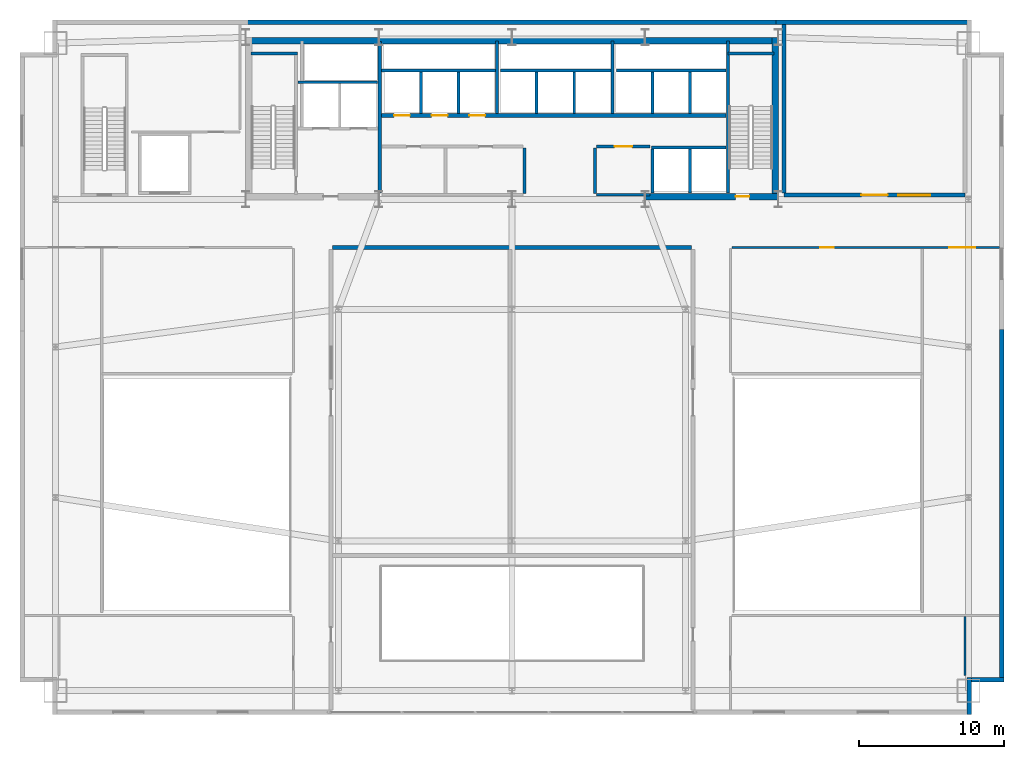
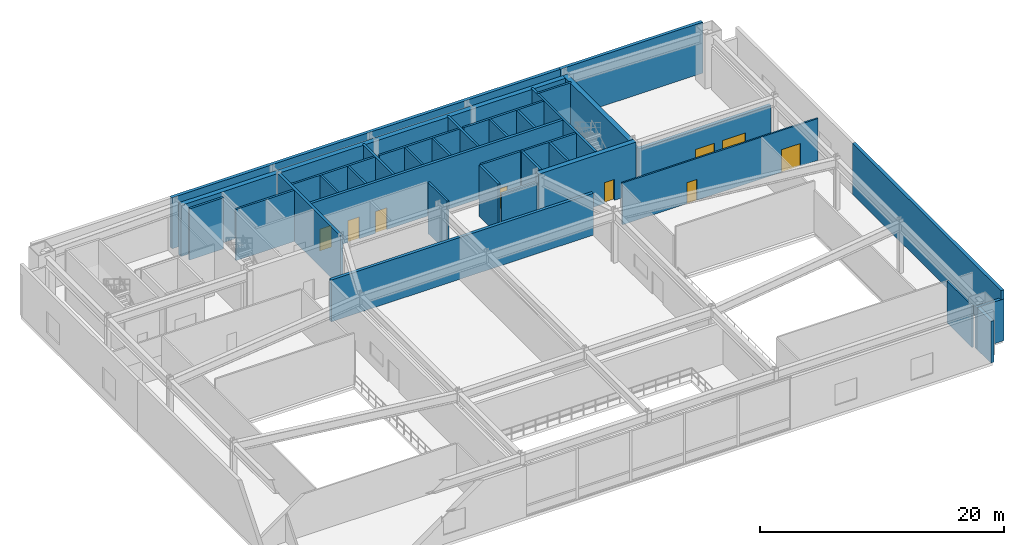
# One storey, part 10 of 13: 37 walls, 8 doors, 1 window, 9 openings.
"""IFC4 building model written with IfcOpenShell, lengths in metres."""

from ifc_helpers import new_model, si_unit, direction, frame, frame_2d, origin, place, context, subcontext, project, spatial, rectangle, extrude, source, transform, mapped, material, layer, layer_set, type_object, type_shapes, element, fill, save


model = new_model("IFC4")

# Units and contexts
model_context = context("Model", 3, precision=1e-05, world=origin(), true_north=direction((0.0, 1.0)))
body_context = subcontext(model_context, "Body", "Model", "MODEL_VIEW")
ifc_project = project(units=[si_unit("LENGTHUNIT", "METRE"), si_unit("AREAUNIT", "SQUARE_METRE"), si_unit("VOLUMEUNIT", "CUBIC_METRE"), si_unit("PLANEANGLEUNIT", "RADIAN"), si_unit("MASSUNIT", "GRAM", prefix="KILO")], contexts=[model_context])

# Site, building, storey
site_placement = place(None, origin())
site = spatial("IfcSite", under=ifc_project, at=site_placement, CompositionType="ELEMENT")
building_placement = place(site_placement, origin())
building = spatial("IfcBuilding", under=site, at=building_placement, Name="Varnel Quay Broadcast Tower", CompositionType="ELEMENT")
storey_placement = place(building_placement, frame((0.0, 0.0, 6.0)))
storey = spatial("IfcBuildingStorey", under=building, at=storey_placement, Name="L01", CompositionType="ELEMENT", Elevation=6.0)

# Walls
ifc_material_1 = material(Name="Concrete CSA A23.3 C50/60", Category="concrete")
ifc_layer_1 = layer(ifc_material_1, 0.199951171875, Name="Concrete CSA A23.3 C50/60")
ifc_layer_set_1 = layer_set([ifc_layer_1], Name="Concrete CSA A23.3 C50/60")
wall_type_1 = type_object("IfcWallType", Name="Wall_CoreShaftShear200", PredefinedType="SHEAR", material=ifc_layer_set_1)
wall_1_placement = place(storey_placement, frame((15.949951171875, 45.679931640625, 0.0), z_axis=(0.0, 0.0, 1.0), x_axis=(1.0, 0.0, 0.0)))
element("IfcWall", 1, at=wall_1_placement, inside=storey, type_object=wall_type_1, Name="L01 Stair 1 North Structural Wall", PredefinedType="SHEAR", context=body_context, shape_type="SweptSolid", body=[
    extrude(rectangle(XDim=3.22998046875, YDim=0.199951171875, at=frame_2d((1.614990234375, 0.0))), origin(), (0.0, 0.0, 1.0), 5.1201171875),
])
wall_2_placement = place(storey_placement, frame((19.199951171875, 43.699951171875, 0.0), z_axis=(0.0, 0.0, 1.0), x_axis=(1.0, 0.0, 0.0)))
element("IfcWall", 2, at=wall_2_placement, inside=storey, type_object=wall_type_1, Name="L01 Firefighter Lift Shaft Rear Wall", PredefinedType="SHEAR", context=body_context, shape_type="SweptSolid", body=[
    extrude(rectangle(XDim=5.52001953125, YDim=0.199951171875, at=frame_2d((2.760009765625, 0.0))), origin(), (0.0, 0.0, 1.0), 5.1201171875),
])
wall_3_placement = place(storey_placement, frame((48.919921875, 36.050048828125, 0.0), z_axis=(0.0, 0.0, 1.0), x_axis=(0.0, 1.0, 0.0)))
element("IfcWall", 3, at=wall_3_placement, inside=storey, type_object=wall_type_1, Name="L01 Stair 2 West Structural Wall", PredefinedType="SHEAR", context=body_context, shape_type="SweptSolid", body=[
    extrude(rectangle(XDim=10.5, YDim=0.199951171875, at=frame_2d((5.25, 0.0))), origin(), (0.0, 0.0, 1.0), 5.1201171875),
])
wall_4_placement = place(storey_placement, frame((48.919921875, 45.679931640625, 0.0), z_axis=(0.0, 0.0, 1.0), x_axis=(1.0, 0.0, 0.0)))
element("IfcWall", 4, at=wall_4_placement, inside=storey, type_object=wall_type_1, Name="L01 Stair 2 North Structural Wall", PredefinedType="SHEAR", context=body_context, shape_type="SweptSolid", body=[
    extrude(rectangle(XDim=3.18017578125, YDim=0.199951171875, at=frame_2d((1.590087890625, 0.0))), origin(), (0.0, 0.0, 1.0), 5.1201171875),
])
wall_5_placement = place(storey_placement, frame((24.97998046875, 44.5, 0.0), z_axis=(0.0, 0.0, 1.0), x_axis=(1.0, 0.0, 0.0)))
element("IfcWall", 5, at=wall_5_placement, inside=storey, type_object=wall_type_1, Name="L01 Low-Rise Lift Shaft Rear Wall", PredefinedType="SHEAR", context=body_context, shape_type="SweptSolid", body=[
    extrude(rectangle(XDim=7.8701171875, YDim=0.199951171875, at=frame_2d((3.93505859375, 0.0))), origin(), (0.0, 0.0, 1.0), 5.1201171875),
])
for number, where, z_axis, x_axis, name in (
    (6, (27.699951171875, 41.530029296875, 0.0), (0.0, 0.0, 1.0), (0.0, 1.0, 0.0), "L01 Low-Rise Lift Shaft Divider 1"),
    (7, (30.300048828125, 41.530029296875, 0.0), (0.0, 0.0, 1.0), (0.0, 1.0, 0.0), "L01 Low-Rise Lift Shaft Divider 2"),
):
    element("IfcWall", number, at=place(storey_placement, frame(where, z_axis=z_axis, x_axis=x_axis)), inside=storey, type_object=wall_type_1, Name=name, PredefinedType="SHEAR", context=body_context, shape_type="SweptSolid", body=[
        extrude(rectangle(XDim=2.869873046875, YDim=0.199951171875, at=frame_2d((1.43505859375, 0.0))), origin(), (0.0, 0.0, 1.0), 5.1201171875),
    ])
wall_6_placement = place(storey_placement, frame((32.949951171875, 41.530029296875, 0.0), z_axis=(0.0, 0.0, 1.0), x_axis=(0.0, 1.0, 0.0)))
element("IfcWall", 8, at=wall_6_placement, inside=storey, type_object=wall_type_1, Name="L01 Low-Rise Lift Shaft Divider 3", PredefinedType="SHEAR", context=body_context, shape_type="SweptSolid", body=[
    extrude(rectangle(XDim=5.02001953125, YDim=0.199951171875, at=frame_2d((2.510009765625, 0.0))), origin(), (0.0, 0.0, 1.0), 5.1201171875),
])
wall_7_placement = place(storey_placement, frame((33.219970703125, 44.5, 0.0), z_axis=(0.0, 0.0, 1.0), x_axis=(1.0, 0.0, 0.0)))
element("IfcWall", 9, at=wall_7_placement, inside=storey, type_object=wall_type_1, Name="L01 Mid-Rise Lift Shaft Rear Wall", PredefinedType="SHEAR", context=body_context, shape_type="SweptSolid", body=[
    extrude(rectangle(XDim=7.630126953125, YDim=0.199951171875, at=frame_2d((3.81494140625, 0.0))), origin(), (0.0, 0.0, 1.0), 5.1201171875),
])
for number, where, z_axis, x_axis, name in (
    (10, (35.699951171875, 41.530029296875, 0.0), (0.0, 0.0, 1.0), (0.0, 1.0, 0.0), "L01 Mid-Rise Lift Shaft Divider 2"),
    (11, (38.300048828125, 41.530029296875, 0.0), (0.0, 0.0, 1.0), (0.0, 1.0, 0.0), "L01 Mid-Rise Lift Shaft Divider 3"),
):
    element("IfcWall", number, at=place(storey_placement, frame(where, z_axis=z_axis, x_axis=x_axis)), inside=storey, type_object=wall_type_1, Name=name, PredefinedType="SHEAR", context=body_context, shape_type="SweptSolid", body=[
        extrude(rectangle(XDim=2.869873046875, YDim=0.199951171875, at=frame_2d((1.43505859375, 0.0))), origin(), (0.0, 0.0, 1.0), 5.1201171875),
    ])
wall_8_placement = place(storey_placement, frame((40.949951171875, 41.530029296875, 0.0), z_axis=(0.0, 0.0, 1.0), x_axis=(0.0, 1.0, 0.0)))
element("IfcWall", 12, at=wall_8_placement, inside=storey, type_object=wall_type_1, Name="L01 Mid-Rise Lift Shaft Divider 4", PredefinedType="SHEAR", context=body_context, shape_type="SweptSolid", body=[
    extrude(rectangle(XDim=5.02001953125, YDim=0.199951171875, at=frame_2d((2.510009765625, 0.0))), origin(), (0.0, 0.0, 1.0), 5.1201171875),
])
wall_9_placement = place(storey_placement, frame((41.219970703125, 44.5, 0.0), z_axis=(0.0, 0.0, 1.0), x_axis=(1.0, 0.0, 0.0)))
element("IfcWall", 13, at=wall_9_placement, inside=storey, type_object=wall_type_1, Name="L01 High-Rise Lift Shaft Rear Wall", PredefinedType="SHEAR", context=body_context, shape_type="SweptSolid", body=[
    extrude(rectangle(XDim=7.580078125, YDim=0.199951171875, at=frame_2d((3.7900390625, 0.0))), origin(), (0.0, 0.0, 1.0), 5.1201171875),
])
for number, where, z_axis, x_axis, name in (
    (14, (43.699951171875, 41.530029296875, 0.0), (0.0, 0.0, 1.0), (0.0, 1.0, 0.0), "L01 High-Rise Lift Shaft Divider 2"),
    (15, (46.300048828125, 41.530029296875, 0.0), (0.0, 0.0, 1.0), (0.0, 1.0, 0.0), "L01 High-Rise Lift Shaft Divider 3"),
):
    element("IfcWall", number, at=place(storey_placement, frame(where, z_axis=z_axis, x_axis=x_axis)), inside=storey, type_object=wall_type_1, Name=name, PredefinedType="SHEAR", context=body_context, shape_type="SweptSolid", body=[
        extrude(rectangle(XDim=2.869873046875, YDim=0.199951171875, at=frame_2d((1.43505859375, 0.0))), origin(), (0.0, 0.0, 1.0), 5.1201171875),
    ])
for number, where, z_axis, x_axis, name in (
    (16, (43.699951171875, 36.050048828125, 0.0), (0.0, 0.0, 1.0), (0.0, 1.0, 0.0), "L01 Express Lift Shaft West Wall"),
    (17, (46.300048828125, 36.050048828125, 0.0), (0.0, 0.0, 1.0), (0.0, 1.0, 0.0), "L01 Express Lift Shaft Divider"),
):
    element("IfcWall", number, at=place(storey_placement, frame(where, z_axis=z_axis, x_axis=x_axis)), inside=storey, type_object=wall_type_1, Name=name, PredefinedType="SHEAR", context=body_context, shape_type="SweptSolid", body=[
        extrude(rectangle(XDim=3.050048828125, YDim=0.199951171875, at=frame_2d((1.52490234375, 0.0))), origin(), (0.0, 0.0, 1.0), 5.1201171875),
    ])
wall_10_placement = place(storey_placement, frame((43.64990234375, 39.199951171875, 0.0), z_axis=(0.0, 0.0, 1.0), x_axis=(1.0, 0.0, 0.0)))
element("IfcWall", 18, at=wall_10_placement, inside=storey, type_object=wall_type_1, Name="L01 Express Lift Shaft North Front Wall", PredefinedType="SHEAR", context=body_context, shape_type="SweptSolid", body=[
    extrude(rectangle(XDim=5.150146484375, YDim=0.199951171875, at=frame_2d((2.5751953125, 0.0))), origin(), (0.0, 0.0, 1.0), 5.1201171875),
])
ifc_layer_2 = layer(ifc_material_1, 0.25, Name="Concrete CSA A23.3 C50/60")
ifc_layer_set_2 = layer_set([ifc_layer_2], Name="Concrete CSA A23.3 C50/60")
wall_type_2 = type_object("IfcWallType", Name="Wall_CoreShaftShear250", PredefinedType="SHEAR", material=ifc_layer_set_2)
wall_11_placement = place(storey_placement, frame((24.85009765625, 36.050048828125, 0.0), z_axis=(0.0, 0.0, 1.0), x_axis=(0.0, 1.0, 0.0)))
element("IfcWall", 19, at=wall_11_placement, inside=storey, type_object=wall_type_2, Name="L01 Firefighting Lobby East Structural Wall", PredefinedType="SHEAR", context=body_context, shape_type="SweptSolid", body=[
    extrude(rectangle(XDim=10.449951171875, YDim=0.25, at=frame_2d((5.22509765625, 0.0))), origin(), (0.0, 0.0, 1.0), 5.1201171875),
])

# Wall, openings, doors
wall_12_placement = place(storey_placement, frame((24.97998046875, 41.39990234375, 0.0), z_axis=(0.0, 0.0, 1.0), x_axis=(1.0, 0.0, 0.0)))
wall_12 = element("IfcWall", 20, at=wall_12_placement, inside=storey, type_object=wall_type_2, Name="L01 North Lift Bank & Reclaimed Suite Wall", PredefinedType="SHEAR", context=body_context, shape_type="SweptSolid", body=[
    extrude(rectangle(XDim=23.820068359375, YDim=0.25, at=frame_2d((11.91015625, 0.0))), origin(), (0.0, 0.0, 1.0), 5.1201171875),
])
opening_1_placement = place(wall_12_placement, frame((0.8701171875, 0.0, 0.0)))
opening_1 = element("IfcOpeningElement", 21, at=opening_1_placement, cuts=wall_12, Name="Opening LD-L01-PL-01", PredefinedType="OPENING", context=body_context, shape_type="SweptSolid", body=[
    extrude(rectangle(XDim=1.10009765625, YDim=2.179931640625, at=frame_2d((0.550048828125, 1.08984375))), frame((0.0, 0.135009765625, 0.0), z_axis=(0.0, -1.0, 0.0), x_axis=(1.0, 0.0, 0.0)), (0.0, 0.0, 1.0), 0.27001953125),
])
opening_2_placement = place(wall_12_placement, frame((3.469970703125, 0.0, 0.0)))
opening_2 = element("IfcOpeningElement", 22, at=opening_2_placement, cuts=wall_12, Name="Opening LD-L01-PL-02", PredefinedType="OPENING", context=body_context, shape_type="SweptSolid", body=[
    extrude(rectangle(XDim=1.10009765625, YDim=2.179931640625, at=frame_2d((0.550048828125, 1.08984375))), frame((0.0, 0.135009765625, 0.0), z_axis=(0.0, -1.0, 0.0), x_axis=(1.0, 0.0, 0.0)), (0.0, 0.0, 1.0), 0.27001953125),
])
opening_3_placement = place(wall_12_placement, frame((6.070068359375, 0.0, 0.0)))
opening_3 = element("IfcOpeningElement", 23, at=opening_3_placement, cuts=wall_12, Name="Opening LD-L01-PL-03", PredefinedType="OPENING", context=body_context, shape_type="SweptSolid", body=[
    extrude(rectangle(XDim=1.10009765625, YDim=2.179931640625, at=frame_2d((0.550048828125, 1.08984375))), frame((0.0, 0.135009765625, 0.0), z_axis=(0.0, -1.0, 0.0), x_axis=(1.0, 0.0, 0.0)), (0.0, 0.0, 1.0), 0.27001953125),
])
ifc_material_2 = material(Name="Brushed Bronze-Stainless Lift Car & Sliding Doors", Category="steel")
door_type_1 = type_object("IfcDoorType", Name="Door_LiftLanding1100", OperationType="SLIDING_TO_LEFT", PredefinedType="DOOR", material=ifc_material_2)
shared_shape_1 = source(origin(), body_context, "Body", "SweptSolid", [
    extrude(rectangle(XDim=1.10009765625, YDim=2.179931640625, at=frame_2d((0.550048828125, 1.08984375))), frame((0.0, 0.02490234375, 0.0), z_axis=(0.0, -1.0, 0.0), x_axis=(1.0, 0.0, 0.0)), (0.0, 0.0, 1.0), 0.050048828125),
])
type_shapes(door_type_1, [shared_shape_1])
door_1_placement = place(opening_1_placement, frame((1.10009765625, 0.0, 0.0), z_axis=(0.0, 0.0, 1.0), x_axis=(-1.0, 0.0, 0.0)))
door_1 = element("IfcDoor", 24, at=door_1_placement, inside=storey, type_object=door_type_1, Name="L01 Lift PL-01 Landing Door", OperationType="SLIDING_TO_LEFT", OverallHeight=2.179931640625, OverallWidth=1.10009765625, PredefinedType="DOOR", context=body_context, shape_type="MappedRepresentation", body=[
    mapped(shared_shape_1, transform((0.0, 0.0, 0.0), x_axis=(1.0, 0.0, 0.0), y_axis=(0.0, 1.0, 0.0), z_axis=(0.0, 0.0, 1.0), scale=1.0)),
])
fill(opening_1, door_1)
door_2_placement = place(opening_2_placement, frame((1.10009765625, 0.0, 0.0), z_axis=(0.0, 0.0, 1.0), x_axis=(-1.0, 0.0, 0.0)))
door_2 = element("IfcDoor", 25, at=door_2_placement, inside=storey, type_object=door_type_1, Name="L01 Lift PL-02 Landing Door", OperationType="SLIDING_TO_LEFT", OverallHeight=2.179931640625, OverallWidth=1.10009765625, PredefinedType="DOOR", context=body_context, shape_type="MappedRepresentation", body=[
    mapped(shared_shape_1, transform((0.0, 0.0, 0.0), x_axis=(1.0, 0.0, 0.0), y_axis=(0.0, 1.0, 0.0), z_axis=(0.0, 0.0, 1.0), scale=1.0)),
])
fill(opening_2, door_2)
door_3_placement = place(opening_3_placement, frame((1.10009765625, 0.0, 0.0), z_axis=(0.0, 0.0, 1.0), x_axis=(-1.0, 0.0, 0.0)))
door_3 = element("IfcDoor", 26, at=door_3_placement, inside=storey, type_object=door_type_1, Name="L01 Lift PL-03 Landing Door", OperationType="SLIDING_TO_LEFT", OverallHeight=2.179931640625, OverallWidth=1.10009765625, PredefinedType="DOOR", context=body_context, shape_type="MappedRepresentation", body=[
    mapped(shared_shape_1, transform((0.0, 0.0, 0.0), x_axis=(1.0, 0.0, 0.0), y_axis=(0.0, 1.0, 0.0), z_axis=(0.0, 0.0, 1.0), scale=1.0)),
])
fill(opening_3, door_3)

# Walls
ifc_material_3 = material(Name="Concrete CSA A23.3 C60/75", Category="concrete")
ifc_layer_3 = layer(ifc_material_3, 0.449951171875, Name="Concrete CSA A23.3 C60/75")
ifc_layer_set_3 = layer_set([ifc_layer_3], Name="Concrete CSA A23.3 C60/75")
wall_type_3 = type_object("IfcWallType", Name="Wall_CoreShearInt450", PredefinedType="SHEAR", material=ifc_layer_set_3)
wall_13_placement = place(storey_placement, frame((15.60009765625, 46.574951171875, 0.0), z_axis=(0.0, 0.0, 1.0), x_axis=(1.0, 0.0, 0.0)))
element("IfcWall", 27, at=wall_13_placement, inside=storey, type_object=wall_type_3, Name="L01 North Core Shear Wall", PredefinedType="SHEAR", context=body_context, shape_type="SweptSolid", body=[
    extrude(rectangle(XDim=36.7998046875, YDim=0.449951171875, at=frame_2d((18.39990234375, 0.0))), origin(), (0.0, 0.0, 1.0), 5.1201171875),
])
wall_14_placement = place(storey_placement, frame((52.205078125, 35.570068359375, 0.0), z_axis=(0.0, 0.0, 1.0), x_axis=(0.0, 1.0, 0.0)))
element("IfcWall", 28, at=wall_14_placement, inside=storey, type_object=wall_type_3, Name="L01 East Core Shear Wall", PredefinedType="SHEAR", context=body_context, shape_type="SweptSolid", body=[
    extrude(rectangle(XDim=11.22998046875, YDim=0.449951171875, at=frame_2d((5.614990234375, 0.0))), origin(), (0.0, 0.0, 1.0), 5.1201171875),
])

# Wall, opening, door
wall_15_placement = place(storey_placement, frame((43.199951171875, 35.794921875, 0.0), z_axis=(0.0, 0.0, 1.0), x_axis=(1.0, 0.0, 0.0)))
wall_15 = element("IfcWall", 29, at=wall_15_placement, inside=storey, type_object=wall_type_3, Name="L01 South-East Core Shear Wall", PredefinedType="SHEAR", context=body_context, shape_type="SweptSolid", body=[
    extrude(rectangle(XDim=9.22998046875, YDim=0.449951171875, at=frame_2d((4.614990234375, 0.0))), origin(), (0.0, 0.0, 1.0), 5.1201171875),
])
opening_4_placement = place(wall_15_placement, frame((6.25, 0.0, 0.0)))
opening_4 = element("IfcOpeningElement", 30, at=opening_4_placement, cuts=wall_15, Name="Opening D-L01-S2", PredefinedType="OPENING", context=body_context, shape_type="SweptSolid", body=[
    extrude(rectangle(XDim=0.949951171875, YDim=2.10009765625, at=frame_2d((0.47509765625, 1.050048828125))), frame((0.0, 0.23486328125, 0.0), z_axis=(0.0, -1.0, 0.0), x_axis=(1.0, 0.0, 0.0)), (0.0, 0.0, 1.0), 0.469970703125),
])
ifc_material_4 = material(Name="Insulated Fire-Rated Hollow Steel Door", Category="steel")
door_type_2 = type_object("IfcDoorType", Name="Door_FireStair950", OperationType="NOTDEFINED", PredefinedType="DOOR", material=ifc_material_4)
shared_shape_2 = source(origin(), body_context, "Body", "SweptSolid", [
    extrude(rectangle(XDim=0.949951171875, YDim=2.10009765625, at=frame_2d((0.47509765625, 1.050048828125))), frame((0.0, 0.02490234375, 0.0), z_axis=(0.0, -1.0, 0.0), x_axis=(1.0, 0.0, 0.0)), (0.0, 0.0, 1.0), 0.050048828125),
])
type_shapes(door_type_2, [shared_shape_2])
door_4_placement = place(opening_4_placement, origin())
door_4 = element("IfcDoor", 31, at=door_4_placement, inside=storey, type_object=door_type_2, Name="L01 Stair 2 Fire Door", OperationType="SINGLE_SWING_RIGHT", OverallHeight=2.10009765625, OverallWidth=0.949951171875, PredefinedType="DOOR", context=body_context, shape_type="MappedRepresentation", body=[
    mapped(shared_shape_2, transform((0.0, 0.0, 0.0), x_axis=(1.0, 0.0, 0.0), y_axis=(0.0, 1.0, 0.0), z_axis=(0.0, 0.0, 1.0), scale=1.0)),
])
fill(opening_4, door_4)

# Walls
ifc_material_5 = material(Name="Precast Architectural Concrete C40/50", Category="concrete")
ifc_layer_4 = layer(ifc_material_5, 0.300048828125, Name="Precast Architectural Concrete C40/50")
ifc_layer_set_4 = layer_set([ifc_layer_4], Name="Precast Architectural Concrete C40/50")
wall_type_4 = type_object("IfcWallType", Name="Wall_ExtPodium300", PredefinedType="SOLIDWALL", material=ifc_layer_set_4)
wall_16_placement = place(storey_placement, frame((52.25, 47.85009765625, 0.0), z_axis=(0.0, 0.0, 1.0), x_axis=(1.0, 0.0, 0.0)))
element("IfcWall", 32, at=wall_16_placement, inside=storey, type_object=wall_type_4, Name="L01 North Podium Exterior Wall NE", PredefinedType="SOLIDWALL", context=body_context, shape_type="SweptSolid", body=[
    extrude(rectangle(XDim=13.5, YDim=0.300048828125, at=frame_2d((6.75, 0.0))), origin(), (0.0, 0.0, 1.0), 5.10009765625),
])
wall_17_placement = place(storey_placement, frame((15.5, 47.85009765625, 0.0), z_axis=(0.0, 0.0, 1.0), x_axis=(1.0, 0.0, 0.0)))
element("IfcWall", 33, at=wall_17_placement, inside=storey, type_object=wall_type_4, Name="L01 North Core Podium Cladding Wall", PredefinedType="SOLIDWALL", context=body_context, shape_type="SweptSolid", body=[
    extrude(rectangle(XDim=37.0, YDim=0.300048828125, at=frame_2d((18.5, 0.0))), origin(), (0.0, 0.0, 1.0), 5.10009765625),
])
wall_18_placement = place(storey_placement, frame((67.85009765625, 2.25, 0.0), z_axis=(0.0, 0.0, 1.0), x_axis=(0.0, 1.0, 0.0)))
element("IfcWall", 34, at=wall_18_placement, inside=storey, type_object=wall_type_4, Name="L01 Podium Acoustic Exterior Wall E1", PredefinedType="SOLIDWALL", context=body_context, shape_type="SweptSolid", body=[
    extrude(rectangle(XDim=24.35009765625, YDim=0.300048828125, at=frame_2d((12.175048828125, 0.0))), origin(), (0.0, 0.0, 1.0), 5.10009765625),
])
for number, where, z_axis, x_axis, name in (
    (35, (65.60009765625, 0.0, 0.0), (0.0, 0.0, 1.0), (0.0, 1.0, 0.0), "L01 Podium Acoustic Exterior Wall NSE1"),
    (36, (65.449951171875, 2.39990234375, 0.0), (0.0, 0.0, 1.0), (1.0, 0.0, 0.0), "L01 Podium Acoustic Exterior Wall NSE2"),
):
    element("IfcWall", number, at=place(storey_placement, frame(where, z_axis=z_axis, x_axis=x_axis)), inside=storey, type_object=wall_type_4, Name=name, PredefinedType="SOLIDWALL", context=body_context, shape_type="SweptSolid", body=[
        extrude(rectangle(XDim=2.550048828125, YDim=0.300048828125, at=frame_2d((1.27490234375, 0.0))), origin(), (0.0, 0.0, 1.0), 4.18310546875),
    ])
ifc_material_6 = material(Name="Concrete Blockwork Fire Enclosure C40/50", Category="masonry")
ifc_layer_5 = layer(ifc_material_6, 0.199951171875, Name="Concrete Blockwork Fire Enclosure C40/50")
ifc_layer_set_5 = layer_set([ifc_layer_5], Name="Concrete Blockwork Fire Enclosure C40/50")
wall_type_5 = type_object("IfcWallType", Name="Wall_FireShaft200", PredefinedType="SOLIDWALL", material=ifc_layer_set_5)
wall_19_placement = place(storey_placement, frame((39.85009765625, 35.925048828125, 0.0), z_axis=(0.0, 0.0, 1.0), x_axis=(1.0, 0.0, 0.0)))
element("IfcWall", 37, at=wall_19_placement, inside=storey, type_object=wall_type_5, Name="L01 Electrical Sub-Distribution Closet Partition 5", PredefinedType="SOLIDWALL", context=body_context, shape_type="SweptSolid", body=[
    extrude(rectangle(XDim=3.699951171875, YDim=0.199951171875, at=frame_2d((1.85009765625, 0.0))), origin(), (0.0, 0.0, 1.0), 4.18310546875),
])

# Wall, opening, door
wall_20_placement = place(storey_placement, frame((39.85009765625, 39.25, 0.0), z_axis=(0.0, 0.0, 1.0), x_axis=(1.0, 0.0, 0.0)))
wall_20 = element("IfcWall", 38, at=wall_20_placement, inside=storey, type_object=wall_type_5, Name="L01 Electrical Sub-Distribution Closet Partition 6", PredefinedType="SOLIDWALL", context=body_context, shape_type="SweptSolid", body=[
    extrude(rectangle(XDim=3.699951171875, YDim=0.199951171875, at=frame_2d((1.85009765625, 0.0))), origin(), (0.0, 0.0, 1.0), 5.10009765625),
])
opening_5_placement = place(wall_20_placement, frame((1.25, 0.0, 0.0)))
opening_5 = element("IfcOpeningElement", 39, at=opening_5_placement, cuts=wall_20, Name="Opening D-L01-03", PredefinedType="OPENING", context=body_context, shape_type="SweptSolid", body=[
    extrude(rectangle(XDim=1.199951171875, YDim=2.10009765625, at=frame_2d((0.60009765625, 1.050048828125))), frame((0.0, 0.10986328125, 0.0), z_axis=(0.0, -1.0, 0.0), x_axis=(1.0, 0.0, 0.0)), (0.0, 0.0, 1.0), 0.219970703125),
])
door_type_3 = type_object("IfcDoorType", Name="Door_Plant1200", OperationType="NOTDEFINED", PredefinedType="DOOR", material=ifc_material_4)
shared_shape_3 = source(origin(), body_context, "Body", "SweptSolid", [
    extrude(rectangle(XDim=1.199951171875, YDim=2.10009765625, at=frame_2d((0.60009765625, 1.050048828125))), frame((0.0, 0.02490234375, 0.0), z_axis=(0.0, -1.0, 0.0), x_axis=(1.0, 0.0, 0.0)), (0.0, 0.0, 1.0), 0.050048828125),
])
type_shapes(door_type_3, [shared_shape_3])
door_5_placement = place(opening_5_placement, origin())
door_5 = element("IfcDoor", 40, at=door_5_placement, inside=storey, type_object=door_type_3, Name="L01 Electrical Sub-Distribution Closet Door D-L01-03", OperationType="SINGLE_SWING_RIGHT", OverallHeight=2.10009765625, OverallWidth=1.199951171875, PredefinedType="DOOR", context=body_context, shape_type="MappedRepresentation", body=[
    mapped(shared_shape_3, transform((0.0, 0.0, 0.0), x_axis=(1.0, 0.0, 0.0), y_axis=(0.0, 1.0, 0.0), z_axis=(0.0, 0.0, 1.0), scale=1.0)),
])
fill(opening_5, door_5)

# Walls
wall_21_placement = place(storey_placement, frame((39.72509765625, 36.02490234375, 0.0), z_axis=(0.0, 0.0, 1.0), x_axis=(0.0, 1.0, 0.0)))
element("IfcWall", 41, at=wall_21_placement, inside=storey, type_object=wall_type_5, Name="L01 Electrical Sub-Distribution Closet Partition 7", PredefinedType="SOLIDWALL", context=body_context, shape_type="SweptSolid", body=[
    extrude(rectangle(XDim=3.125, YDim=0.199951171875, at=frame_2d((1.5625, 0.0))), origin(), (0.0, 0.0, 1.0), 5.10009765625),
])
ifc_material_7 = material(Name="Steel-Stud Fire-Rated Acoustic Gypsum Partition Assembly", Category="steel")
ifc_layer_6 = layer(ifc_material_7, 0.14990234375, Name="Steel-Stud Fire-Rated Acoustic Gypsum Partition Assembly")
ifc_layer_set_6 = layer_set([ifc_layer_6], Name="Steel-Stud Fire-Rated Acoustic Gypsum Partition Assembly")
wall_type_6 = type_object("IfcWallType", Name="Wall_Partition150", PredefinedType="PARTITIONING", material=ifc_layer_set_6)
wall_22_placement = place(storey_placement, frame((65.300048828125, 2.699951171875, 0.0), z_axis=(0.0, 0.0, 1.0), x_axis=(0.0, 1.0, 0.0)))
element("IfcWall", 42, at=wall_22_placement, inside=storey, type_object=wall_type_6, Name="L01 South-East Catwalk Rigging Office Partition 16", PredefinedType="PARTITIONING", context=body_context, shape_type="SweptSolid", body=[
    extrude(rectangle(XDim=4.074951171875, YDim=0.14990234375, at=frame_2d((2.03759765625, 0.0))), origin(), (0.0, 0.0, 1.0), 4.18310546875),
])

# Wall, openings, doors
wall_23_placement = place(storey_placement, frame((49.199951171875, 32.27490234375, 0.0), z_axis=(0.0, 0.0, 1.0), x_axis=(1.0, 0.0, 0.0)))
wall_23 = element("IfcWall", 43, at=wall_23_placement, inside=storey, type_object=wall_type_6, Name="L01 North-East Stage Gallery Office Partition 25", PredefinedType="PARTITIONING", context=body_context, shape_type="SweptSolid", body=[
    extrude(rectangle(XDim=18.489990234375, YDim=0.14990234375, at=frame_2d((9.2451171875, 0.0))), origin(), (0.0, 0.0, 1.0), 4.18310546875),
])
opening_6_placement = place(wall_23_placement, frame((6.114990234375, 0.0, 0.0)))
opening_6 = element("IfcOpeningElement", 44, at=opening_6_placement, cuts=wall_23, Name="Opening D-L01-11", PredefinedType="OPENING", context=body_context, shape_type="SweptSolid", body=[
    extrude(rectangle(XDim=0.919921875, YDim=2.080078125, at=frame_2d((0.4599609375, 1.0400390625))), frame((0.0, 0.0849609375, 0.0), z_axis=(0.0, -1.0, 0.0), x_axis=(1.0, 0.0, 0.0)), (0.0, 0.0, 1.0), 0.169921875),
])
opening_7_placement = place(wall_23_placement, frame((15.02001953125, 0.0, 0.0)))
opening_7 = element("IfcOpeningElement", 45, at=opening_7_placement, cuts=wall_23, Name="Opening D-L01-13", PredefinedType="OPENING", context=body_context, shape_type="SweptSolid", body=[
    extrude(rectangle(XDim=1.800048828125, YDim=2.25, at=frame_2d((0.89990234375, 1.125))), frame((0.0, 0.0849609375, 0.0), z_axis=(0.0, -1.0, 0.0), x_axis=(1.0, 0.0, 0.0)), (0.0, 0.0, 1.0), 0.169921875),
])
ifc_material_8 = material(Name="Solid-Core Fire-Rated Acoustic Oak Veneer Door", Category="wood")
door_type_4 = type_object("IfcDoorType", Name="Door_Office920", OperationType="NOTDEFINED", PredefinedType="DOOR", material=ifc_material_8)
shared_shape_4 = source(origin(), body_context, "Body", "SweptSolid", [
    extrude(rectangle(XDim=0.919921875, YDim=2.080078125, at=frame_2d((0.4599609375, 1.0400390625))), frame((0.0, 0.02490234375, 0.0), z_axis=(0.0, -1.0, 0.0), x_axis=(1.0, 0.0, 0.0)), (0.0, 0.0, 1.0), 0.050048828125),
])
type_shapes(door_type_4, [shared_shape_4])
door_6_placement = place(opening_6_placement, frame((0.919921875, 0.0, 0.0), z_axis=(0.0, 0.0, 1.0), x_axis=(-1.0, 0.0, 0.0)))
door_6 = element("IfcDoor", 46, at=door_6_placement, inside=storey, type_object=door_type_4, Name="L01 North-East Stage Gallery Office Door D-L01-11", OperationType="SINGLE_SWING_RIGHT", OverallHeight=2.080078125, OverallWidth=0.919921875, PredefinedType="DOOR", context=body_context, shape_type="MappedRepresentation", body=[
    mapped(shared_shape_4, transform((0.0, 0.0, 0.0), x_axis=(1.0, 0.0, 0.0), y_axis=(0.0, 1.0, 0.0), z_axis=(0.0, 0.0, 1.0), scale=1.0)),
])
fill(opening_6, door_6)
door_type_5 = type_object("IfcDoorType", Name="Door_StudioSound1800", OperationType="DOUBLE_DOOR_SINGLE_SWING", PredefinedType="DOOR", material=ifc_material_4)
shared_shape_5 = source(origin(), body_context, "Body", "SweptSolid", [
    extrude(rectangle(XDim=1.800048828125, YDim=2.25, at=frame_2d((0.89990234375, 1.125))), frame((0.0, 0.02490234375, 0.0), z_axis=(0.0, -1.0, 0.0), x_axis=(1.0, 0.0, 0.0)), (0.0, 0.0, 1.0), 0.050048828125),
])
type_shapes(door_type_5, [shared_shape_5])
door_7_placement = place(opening_7_placement, frame((1.800048828125, 0.0, 0.0), z_axis=(0.0, 0.0, 1.0), x_axis=(-1.0, 0.0, 0.0)))
door_7 = element("IfcDoor", 47, at=door_7_placement, inside=storey, type_object=door_type_5, Name="L01 East Studio Sound Meeting Room Door D-L01-13", OperationType="DOUBLE_DOOR_SINGLE_SWING", OverallHeight=2.25, OverallWidth=1.800048828125, PredefinedType="DOOR", context=body_context, shape_type="MappedRepresentation", body=[
    mapped(shared_shape_5, transform((0.0, 0.0, 0.0), x_axis=(1.0, 0.0, 0.0), y_axis=(0.0, 1.0, 0.0), z_axis=(0.0, 0.0, 1.0), scale=1.0)),
])
fill(opening_7, door_7)

# Walls
ifc_material_9 = material(Name="Fire-Rated Moisture-Resistant Plumbing Chase Partition")
ifc_layer_7 = layer(ifc_material_9, 0.199951171875, Name="Fire-Rated Moisture-Resistant Plumbing Chase Partition")
ifc_layer_set_7 = layer_set([ifc_layer_7], Name="Fire-Rated Moisture-Resistant Plumbing Chase Partition")
wall_type_7 = type_object("IfcWallType", Name="Wall_Plumbing200", PredefinedType="PLUMBINGWALL", material=ifc_layer_set_7)
wall_24_placement = place(storey_placement, frame((34.875, 36.02490234375, 0.0), z_axis=(0.0, 0.0, 1.0), x_axis=(0.0, 1.0, 0.0)))
element("IfcWall", 48, at=wall_24_placement, inside=storey, type_object=wall_type_7, Name="L01 Staff Washrooms Partition 4", PredefinedType="PLUMBINGWALL", context=body_context, shape_type="SweptSolid", body=[
    extrude(rectangle(XDim=3.125, YDim=0.199951171875, at=frame_2d((1.5625, 0.0))), origin(), (0.0, 0.0, 1.0), 5.10009765625),
])
ifc_material_10 = material(Name="Double-Leaf Isolated Acoustic Studio Wall Concrete C40/50", Category="concrete")
ifc_layer_8 = layer(ifc_material_10, 0.280029296875, Name="Double-Leaf Isolated Acoustic Studio Wall Concrete C40/50")
ifc_layer_set_8 = layer_set([ifc_layer_8], Name="Double-Leaf Isolated Acoustic Studio Wall Concrete C40/50")
wall_type_8 = type_object("IfcWallType", Name="Wall_StudioAcoustic280", PredefinedType="SOLIDWALL", material=ifc_layer_set_8)
wall_25_placement = place(storey_placement, frame((21.60009765625, 32.27490234375, 0.0), z_axis=(0.0, 0.0, 1.0), x_axis=(1.0, 0.0, 0.0)))
element("IfcWall", 49, at=wall_25_placement, inside=storey, type_object=wall_type_8, Name="L01 Studio A Vision Control Office Partition 10", PredefinedType="SOLIDWALL", context=body_context, shape_type="SweptSolid", body=[
    extrude(rectangle(XDim=24.7998046875, YDim=0.280029296875, at=frame_2d((12.39990234375, 0.0))), origin(), (0.0, 0.0, 1.0), 4.18310546875),
])

# Wall, openings, door, window
wall_26_placement = place(storey_placement, frame((52.800048828125, 35.89990234375, 0.0), z_axis=(0.0, 0.0, 1.0), x_axis=(1.0, 0.0, 0.0)))
wall_26 = element("IfcWall", 50, at=wall_26_placement, inside=storey, type_object=wall_type_8, Name="L01 Wardrobe & Makeup Studio Office Partition 29", PredefinedType="SOLIDWALL", context=body_context, shape_type="SweptSolid", body=[
    extrude(rectangle(XDim=12.5, YDim=0.280029296875, at=frame_2d((6.25, 0.0))), origin(), (0.0, 0.0, 1.0), 4.18310546875),
])
opening_8_placement = place(wall_26_placement, frame((5.35009765625, 0.0, 0.0)))
opening_8 = element("IfcOpeningElement", 51, at=opening_8_placement, cuts=wall_26, Name="Opening D-L01-15", PredefinedType="OPENING", context=body_context, shape_type="SweptSolid", body=[
    extrude(rectangle(XDim=1.800048828125, YDim=2.25, at=frame_2d((0.89990234375, 1.125))), frame((0.0, 0.14990234375, 0.0), z_axis=(0.0, -1.0, 0.0), x_axis=(1.0, 0.0, 0.0)), (0.0, 0.0, 1.0), 0.300048828125),
])
opening_9_placement = place(wall_26_placement, frame((7.89990234375, 0.0, 0.949951171875)))
opening_9 = element("IfcOpeningElement", 52, at=opening_9_placement, cuts=wall_26, Name="Opening W-INT01", PredefinedType="OPENING", context=body_context, shape_type="SweptSolid", body=[
    extrude(rectangle(XDim=2.199951171875, YDim=1.300048828125, at=frame_2d((1.10009765625, 0.64990234375))), frame((0.0, 0.14990234375, 0.0), z_axis=(0.0, -1.0, 0.0), x_axis=(1.0, 0.0, 0.0)), (0.0, 0.0, 1.0), 0.300048828125),
])
door_8_placement = place(opening_8_placement, origin())
door_8 = element("IfcDoor", 53, at=door_8_placement, inside=storey, type_object=door_type_5, Name="L01 Wardrobe & Makeup Studio Office Door D-L01-15", OperationType="DOUBLE_DOOR_SINGLE_SWING", OverallHeight=2.25, OverallWidth=1.800048828125, PredefinedType="DOOR", context=body_context, shape_type="MappedRepresentation", body=[
    mapped(shared_shape_5, transform((0.0, 0.0, 0.0), x_axis=(1.0, 0.0, 0.0), y_axis=(0.0, 1.0, 0.0), z_axis=(0.0, 0.0, 1.0), scale=1.0)),
])
fill(opening_8, door_8)
ifc_material_11 = material(Name="Acoustic Laminated Control Glass", Category="glass")
window_type = type_object("IfcWindowType", Name="Win_IntControlGallery", PartitioningType="SINGLE_PANEL", PredefinedType="WINDOW", material=ifc_material_11)
shared_shape_6 = source(origin(), body_context, "Body", "SweptSolid", [
    extrude(rectangle(XDim=2.199951171875, YDim=1.300048828125, at=frame_2d((1.10009765625, 0.64990234375))), frame((0.0, 0.030029296875, 0.0), z_axis=(0.0, -1.0, 0.0), x_axis=(1.0, 0.0, 0.0)), (0.0, 0.0, 1.0), 0.06005859375),
])
type_shapes(window_type, [shared_shape_6])
window_placement = place(opening_9_placement, origin())
window = element("IfcWindow", 54, at=window_placement, inside=storey, type_object=window_type, Name="L01 Studio Control Observation Window 15", OverallHeight=1.300048828125, OverallWidth=2.199951171875, PartitioningType="SINGLE_PANEL", PredefinedType="WINDOW", context=body_context, shape_type="MappedRepresentation", body=[
    mapped(shared_shape_6, transform((0.0, 0.0, 0.0), x_axis=(1.0, 0.0, 0.0), y_axis=(0.0, 1.0, 0.0), z_axis=(0.0, 0.0, 1.0), scale=1.0)),
])
fill(opening_9, window)

# Wall
wall_27_placement = place(storey_placement, frame((52.800048828125, 36.0400390625, 0.0), z_axis=(0.0, 0.0, 1.0), x_axis=(0.0, 1.0, 0.0)))
element("IfcWall", 55, at=wall_27_placement, inside=storey, type_object=wall_type_8, Name="L01 Wardrobe & Makeup Studio Office Partition 31", PredefinedType="SOLIDWALL", context=body_context, shape_type="SweptSolid", body=[
    extrude(rectangle(XDim=11.64990234375, YDim=0.280029296875, at=frame_2d((5.824951171875, 0.0))), origin(), (0.0, 0.0, 1.0), 4.18310546875),
])

save(model, "model.ifc")
